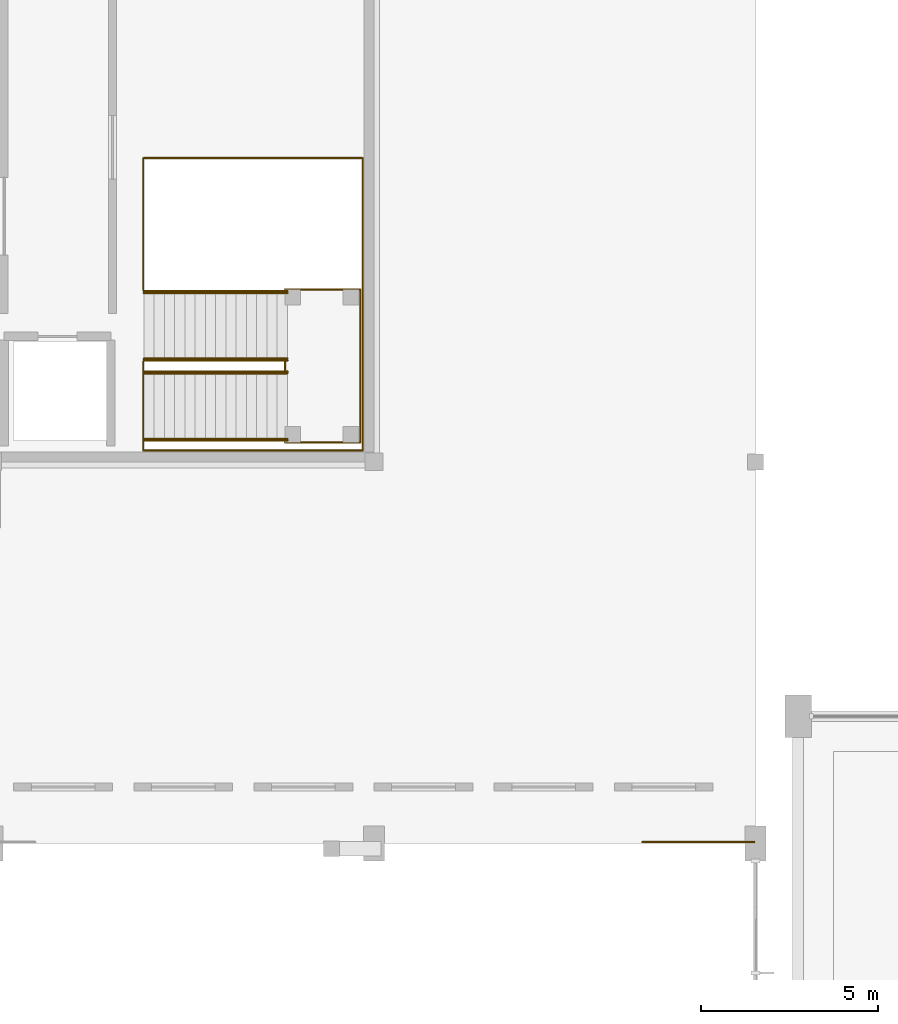
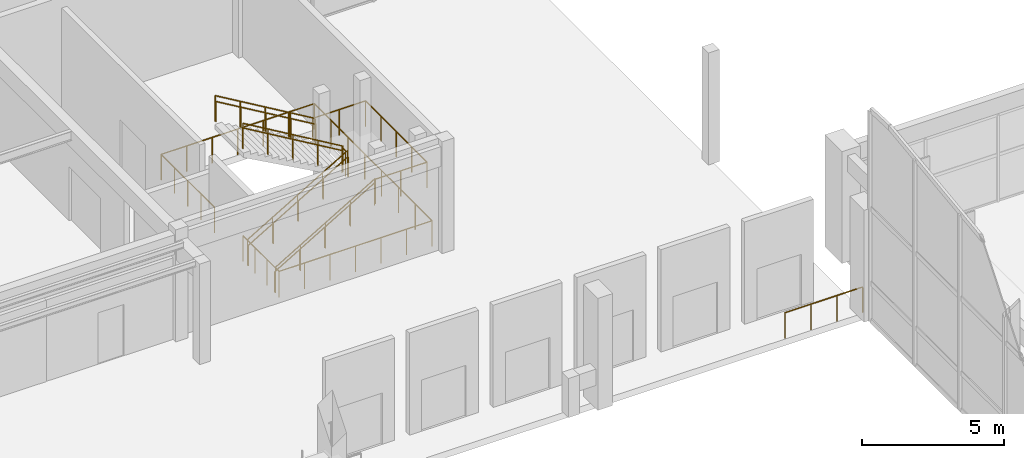
# One storey, part 73 of 74: 12 railings.
"""IFC4 building model written with IfcOpenShell, lengths in metres."""

from ifc_helpers import new_model, si_unit, direction, frame, origin, origin_2d, place, context, subcontext, project, spatial, circle, extrude, material, type_object, element, save


model = new_model("IFC4")

# Units and contexts
model_context = context("Model", 3, precision=1e-05, world=origin(), true_north=direction((0.0, 1.0)))
body_context = subcontext(model_context, "Body", "Model", "MODEL_VIEW")
ifc_project = project(units=[si_unit("LENGTHUNIT", "METRE"), si_unit("AREAUNIT", "SQUARE_METRE"), si_unit("VOLUMEUNIT", "CUBIC_METRE"), si_unit("PLANEANGLEUNIT", "RADIAN"), si_unit("MASSUNIT", "GRAM", prefix="KILO")], contexts=[model_context])

# Site, building, storey
site_placement = place(None, origin())
site = spatial("IfcSite", under=ifc_project, at=site_placement, CompositionType="ELEMENT")
building_placement = place(site_placement, origin())
building = spatial("IfcBuilding", under=site, at=building_placement, Name="Suirenkawa Promenade Aquatics Centre", CompositionType="ELEMENT")
storey_placement = place(building_placement, frame((0.0, 0.0, 4.800048828125)))
storey = spatial("IfcBuildingStorey", under=building, at=storey_placement, Name="L01", CompositionType="ELEMENT", Elevation=4.800048828125)

# Railings
ifc_material = material(Name="Marine-grade stainless steel Grade 316L", Category="steel")
railing_type_1 = type_object("IfcRailingType", Name="RLT-BALUSTRADE-1120", PredefinedType="BALUSTRADE", material=ifc_material)
railing_1_placement = place(storey_placement, frame((151.60009765625, 97.239990234375, 0.0)))
element("IfcRailing", 1, at=railing_1_placement, inside=storey, type_object=railing_type_1, Name="Balustrade BAL-01 RL-0399", PredefinedType="BALUSTRADE", context=body_context, shape_type="SweptSolid", body=[
    extrude(circle(Radius=0.02392578125, at=origin_2d()), frame((0.0, 0.0, 1.09619140625), z_axis=(1.0, 0.0, 0.0), x_axis=(0.0, 1.0, 0.0)), (0.0, 0.0, 1.0), 3.159912109375),
    extrude(circle(Radius=0.02099609375, at=origin_2d()), origin(), (0.0, 0.0, 1.0), 1.072021484375),
    extrude(circle(Radius=0.02099609375, at=origin_2d()), frame((1.05322265625, 0.0, 0.0)), (0.0, 0.0, 1.0), 1.072021484375),
    extrude(circle(Radius=0.02099609375, at=origin_2d()), frame((2.106689453125, 0.0, 0.0)), (0.0, 0.0, 1.0), 1.072021484375),
    extrude(circle(Radius=0.02099609375, at=origin_2d()), frame((3.159912109375, 0.0, 0.0)), (0.0, 0.0, 1.0), 1.072021484375),
])
railing_type_2 = type_object("IfcRailingType", Name="RLT-GUARD-1120", PredefinedType="GUARDRAIL", material=ifc_material)
for number, where, name in (
    (2, (137.485107421875, 108.60009765625, 0.0), "Guardrail GRD-01 RL-0141"),
    (3, (137.485107421875, 110.56005859375, 0.0), "Guardrail GRD-01 RL-0143"),
):
    element("IfcRailing", number, at=place(storey_placement, frame(where)), inside=storey, type_object=railing_type_2, Name=name, PredefinedType="GUARDRAIL", context=body_context, shape_type="SweptSolid", body=[
        extrude(circle(Radius=0.02392578125, at=origin_2d()), frame((0.0, 0.0, 1.09619140625), z_axis=(0.860840976868, 0.0, 0.508874063541), x_axis=(0.0, 1.0, 0.0)), (0.0, 0.0, 1.0), 4.716064453125),
        extrude(circle(Radius=0.02099609375, at=origin_2d()), origin(), (0.0, 0.0, 1.0), 1.072021484375),
        extrude(circle(Radius=0.02099609375, at=origin_2d()), frame((1.014892578125, 0.0, 0.60009765625)), (0.0, 0.0, 1.0), 1.072021484375),
        extrude(circle(Radius=0.02099609375, at=origin_2d()), frame((2.02978515625, 0.0, 1.199951171875)), (0.0, 0.0, 1.0), 1.072021484375),
        extrude(circle(Radius=0.02099609375, at=origin_2d()), frame((3.044921875, 0.0, 1.7998046875)), (0.0, 0.0, 1.0), 1.072021484375),
        extrude(circle(Radius=0.02099609375, at=origin_2d()), frame((4.059814453125, 0.0, 2.39990234375)), (0.0, 0.0, 1.0), 1.072021484375),
    ])
for number, where, name in (
    (4, (141.544921875, 112.830078125, 2.39990234375), "Guardrail GRD-01 RL-0145"),
    (5, (141.544921875, 110.8701171875, 2.39990234375), "Guardrail GRD-01 RL-0147"),
):
    element("IfcRailing", number, at=place(storey_placement, frame(where)), inside=storey, type_object=railing_type_2, Name=name, PredefinedType="GUARDRAIL", context=body_context, shape_type="SweptSolid", body=[
        extrude(circle(Radius=0.02392578125, at=origin_2d()), frame((0.0, 0.0, 1.09619140625), z_axis=(-0.860818299379, 0.0, 0.50891242415), x_axis=(0.0, -1.0, 0.0)), (0.0, 0.0, 1.0), 4.71630859375),
        extrude(circle(Radius=0.02099609375, at=origin_2d()), origin(), (0.0, 0.0, 1.0), 1.072021484375),
        extrude(circle(Radius=0.02099609375, at=origin_2d()), frame((-1.014892578125, 0.0, 0.60009765625)), (0.0, 0.0, 1.0), 1.072021484375),
        extrude(circle(Radius=0.02099609375, at=origin_2d()), frame((-2.02978515625, 0.0, 1.2001953125)), (0.0, 0.0, 1.0), 1.072021484375),
        extrude(circle(Radius=0.02099609375, at=origin_2d()), frame((-3.044921875, 0.0, 1.800048828125)), (0.0, 0.0, 1.0), 1.072021484375),
        extrude(circle(Radius=0.02099609375, at=origin_2d()), frame((-4.059814453125, 0.0, 2.400146484375)), (0.0, 0.0, 1.0), 1.072021484375),
    ])
railing_2_placement = place(storey_placement, frame((141.47998046875, 108.550048828125, 2.39990234375)))
element("IfcRailing", 6, at=railing_2_placement, inside=storey, type_object=railing_type_2, Name="Guardrail GRD-01 RL-0149", PredefinedType="GUARDRAIL", context=body_context, shape_type="SweptSolid", body=[
    extrude(circle(Radius=0.02392578125, at=origin_2d()), frame((0.0, 0.0, 1.09619140625), z_axis=(1.0, 0.0, 0.0), x_axis=(0.0, 1.0, 0.0)), (0.0, 0.0, 1.0), 2.130126953125),
    extrude(circle(Radius=0.02392578125, at=origin_2d()), frame((2.130126953125, 0.0, 1.09619140625), z_axis=(0.0, 1.0, 0.0), x_axis=(-1.0, 0.0, 0.0)), (0.0, 0.0, 1.0), 4.329833984375),
    extrude(circle(Radius=0.02392578125, at=origin_2d()), frame((2.130126953125, 4.329833984375, 1.09619140625), z_axis=(-1.0, 0.0, 0.0), x_axis=(0.0, -1.0, 0.0)), (0.0, 0.0, 1.0), 2.130126953125),
    extrude(circle(Radius=0.02099609375, at=origin_2d()), origin(), (0.0, 0.0, 1.0), 1.072021484375),
    extrude(circle(Radius=0.02099609375, at=origin_2d()), frame((1.06494140625, 0.0, 0.0)), (0.0, 0.0, 1.0), 1.072021484375),
    extrude(circle(Radius=0.02099609375, at=origin_2d()), frame((2.130126953125, 0.0, 0.0)), (0.0, 0.0, 1.0), 1.072021484375),
    extrude(circle(Radius=0.02099609375, at=origin_2d()), frame((2.130126953125, 1.08251953125, 0.0)), (0.0, 0.0, 1.0), 1.072021484375),
    extrude(circle(Radius=0.02099609375, at=origin_2d()), frame((2.130126953125, 2.1650390625, 0.0)), (0.0, 0.0, 1.0), 1.072021484375),
    extrude(circle(Radius=0.02099609375, at=origin_2d()), frame((2.130126953125, 3.247314453125, 0.0)), (0.0, 0.0, 1.0), 1.072021484375),
    extrude(circle(Radius=0.02099609375, at=origin_2d()), frame((2.130126953125, 4.329833984375, 0.0)), (0.0, 0.0, 1.0), 1.072021484375),
    extrude(circle(Radius=0.02099609375, at=origin_2d()), frame((1.06494140625, 4.329833984375, 0.0)), (0.0, 0.0, 1.0), 1.072021484375),
    extrude(circle(Radius=0.02099609375, at=origin_2d()), frame((0.0, 4.329833984375, 0.0)), (0.0, 0.0, 1.0), 1.072021484375),
])
railing_3_placement = place(storey_placement, frame((141.47998046875, 110.590087890625, 2.39990234375)))
element("IfcRailing", 7, at=railing_3_placement, inside=storey, type_object=railing_type_2, Name="Guardrail GRD-01 RL-0150", PredefinedType="GUARDRAIL", context=body_context, shape_type="SweptSolid", body=[
    extrude(circle(Radius=0.02392578125, at=origin_2d()), frame((0.0, 0.0, 1.09619140625), z_axis=(0.0, 1.0, 0.0), x_axis=(-1.0, 0.0, 0.0)), (0.0, 0.0, 1.0), 0.25),
    extrude(circle(Radius=0.02099609375, at=origin_2d()), origin(), (0.0, 0.0, 1.0), 1.072021484375),
    extrude(circle(Radius=0.02099609375, at=origin_2d()), frame((0.0, 0.25, 0.0)), (0.0, 0.0, 1.0), 1.072021484375),
])
railing_4_placement = place(storey_placement, frame((137.469970703125, 112.860107421875, 0.0)))
element("IfcRailing", 8, at=railing_4_placement, inside=storey, type_object=railing_type_2, Name="Guardrail GRD-01 RL-0415", PredefinedType="GUARDRAIL", context=body_context, shape_type="SweptSolid", body=[
    extrude(circle(Radius=0.02392578125, at=origin_2d()), frame((0.0, 0.0, 1.09619140625), z_axis=(0.0, 1.0, 0.0), x_axis=(-1.0, 0.0, 0.0)), (0.0, 0.0, 1.0), 3.739990234375),
    extrude(circle(Radius=0.02392578125, at=origin_2d()), frame((0.0, 3.739990234375, 1.09619140625), z_axis=(1.0, 0.0, 0.0), x_axis=(0.0, 1.0, 0.0)), (0.0, 0.0, 1.0), 6.2099609375),
    extrude(circle(Radius=0.02392578125, at=origin_2d()), frame((6.2099609375, 3.739990234375, 1.09619140625), z_axis=(0.0, -1.0, 0.0), x_axis=(1.0, 0.0, 0.0)), (0.0, 0.0, 1.0), 8.280029296875),
    extrude(circle(Radius=0.02392578125, at=origin_2d()), frame((6.2099609375, -4.5400390625, 1.09619140625), z_axis=(-1.0, 0.0, 0.0), x_axis=(0.0, -1.0, 0.0)), (0.0, 0.0, 1.0), 6.2099609375),
    extrude(circle(Radius=0.02392578125, at=origin_2d()), frame((0.0, -4.5400390625, 1.09619140625), z_axis=(0.0, 1.0, 0.0), x_axis=(-1.0, 0.0, 0.0)), (0.0, 0.0, 1.0), 2.52001953125),
    extrude(circle(Radius=0.02099609375, at=origin_2d()), origin(), (0.0, 0.0, 1.0), 1.072021484375),
    extrude(circle(Radius=0.02099609375, at=origin_2d()), frame((0.0, 0.93505859375, 0.0)), (0.0, 0.0, 1.0), 1.072021484375),
    extrude(circle(Radius=0.02099609375, at=origin_2d()), frame((0.0, 1.8701171875, 0.0)), (0.0, 0.0, 1.0), 1.072021484375),
    extrude(circle(Radius=0.02099609375, at=origin_2d()), frame((0.0, 2.804931640625, 0.0)), (0.0, 0.0, 1.0), 1.072021484375),
    extrude(circle(Radius=0.02099609375, at=origin_2d()), frame((0.0, 3.739990234375, 0.0)), (0.0, 0.0, 1.0), 1.072021484375),
    extrude(circle(Radius=0.02099609375, at=origin_2d()), frame((1.034912109375, 3.739990234375, 0.0)), (0.0, 0.0, 1.0), 1.072021484375),
    extrude(circle(Radius=0.02099609375, at=origin_2d()), frame((2.070068359375, 3.739990234375, 0.0)), (0.0, 0.0, 1.0), 1.072021484375),
    extrude(circle(Radius=0.02099609375, at=origin_2d()), frame((3.10498046875, 3.739990234375, 0.0)), (0.0, 0.0, 1.0), 1.072021484375),
    extrude(circle(Radius=0.02099609375, at=origin_2d()), frame((4.139892578125, 3.739990234375, 0.0)), (0.0, 0.0, 1.0), 1.072021484375),
    extrude(circle(Radius=0.02099609375, at=origin_2d()), frame((5.175048828125, 3.739990234375, 0.0)), (0.0, 0.0, 1.0), 1.072021484375),
    extrude(circle(Radius=0.02099609375, at=origin_2d()), frame((6.2099609375, 3.739990234375, 0.0)), (0.0, 0.0, 1.0), 1.072021484375),
    extrude(circle(Radius=0.02099609375, at=origin_2d()), frame((6.2099609375, 2.55712890625, 0.0)), (0.0, 0.0, 1.0), 1.072021484375),
    extrude(circle(Radius=0.02099609375, at=origin_2d()), frame((6.2099609375, 1.374267578125, 0.0)), (0.0, 0.0, 1.0), 1.072021484375),
    extrude(circle(Radius=0.02099609375, at=origin_2d()), frame((6.2099609375, 0.19140625, 0.0)), (0.0, 0.0, 1.0), 1.072021484375),
    extrude(circle(Radius=0.02099609375, at=origin_2d()), frame((6.2099609375, -0.991455078125, 0.0)), (0.0, 0.0, 1.0), 1.072021484375),
    extrude(circle(Radius=0.02099609375, at=origin_2d()), frame((6.2099609375, -2.17431640625, 0.0)), (0.0, 0.0, 1.0), 1.072021484375),
    extrude(circle(Radius=0.02099609375, at=origin_2d()), frame((6.2099609375, -3.357177734375, 0.0)), (0.0, 0.0, 1.0), 1.072021484375),
    extrude(circle(Radius=0.02099609375, at=origin_2d()), frame((6.2099609375, -4.5400390625, 0.0)), (0.0, 0.0, 1.0), 1.072021484375),
    extrude(circle(Radius=0.02099609375, at=origin_2d()), frame((5.175048828125, -4.5400390625, 0.0)), (0.0, 0.0, 1.0), 1.072021484375),
    extrude(circle(Radius=0.02099609375, at=origin_2d()), frame((4.139892578125, -4.5400390625, 0.0)), (0.0, 0.0, 1.0), 1.072021484375),
    extrude(circle(Radius=0.02099609375, at=origin_2d()), frame((3.10498046875, -4.5400390625, 0.0)), (0.0, 0.0, 1.0), 1.072021484375),
    extrude(circle(Radius=0.02099609375, at=origin_2d()), frame((2.070068359375, -4.5400390625, 0.0)), (0.0, 0.0, 1.0), 1.072021484375),
    extrude(circle(Radius=0.02099609375, at=origin_2d()), frame((1.034912109375, -4.5400390625, 0.0)), (0.0, 0.0, 1.0), 1.072021484375),
    extrude(circle(Radius=0.02099609375, at=origin_2d()), frame((0.0, -4.5400390625, 0.0)), (0.0, 0.0, 1.0), 1.072021484375),
    extrude(circle(Radius=0.02099609375, at=origin_2d()), frame((0.0, -3.699951171875, 0.0)), (0.0, 0.0, 1.0), 1.072021484375),
    extrude(circle(Radius=0.02099609375, at=origin_2d()), frame((0.0, -2.860107421875, 0.0)), (0.0, 0.0, 1.0), 1.072021484375),
    extrude(circle(Radius=0.02099609375, at=origin_2d()), frame((0.0, -2.02001953125, 0.0)), (0.0, 0.0, 1.0), 1.072021484375),
])
railing_type_3 = type_object("IfcRailingType", Name="RLT-HANDRAIL-900", PredefinedType="HANDRAIL", material=ifc_material)
for number, where, name in (
    (9, (137.485107421875, 108.64990234375, 0.0), "Handrail HRL-01 RL-0142"),
    (10, (137.485107421875, 110.510009765625, 0.0), "Handrail HRL-01 RL-0144"),
):
    element("IfcRailing", number, at=place(storey_placement, frame(where)), inside=storey, type_object=railing_type_3, Name=name, PredefinedType="HANDRAIL", context=body_context, shape_type="SweptSolid", body=[
        extrude(circle(Radius=0.02392578125, at=origin_2d()), frame((0.0, 0.0, 0.8759765625), z_axis=(0.860840976868, 0.0, 0.508874063541), x_axis=(0.0, 1.0, 0.0)), (0.0, 0.0, 1.0), 4.716064453125),
        extrude(circle(Radius=0.02099609375, at=origin_2d()), origin(), (0.0, 0.0, 1.0), 0.851806640625),
        extrude(circle(Radius=0.02099609375, at=origin_2d()), frame((1.014892578125, 0.0, 0.60009765625)), (0.0, 0.0, 1.0), 0.851806640625),
        extrude(circle(Radius=0.02099609375, at=origin_2d()), frame((2.02978515625, 0.0, 1.199951171875)), (0.0, 0.0, 1.0), 0.851806640625),
        extrude(circle(Radius=0.02099609375, at=origin_2d()), frame((3.044921875, 0.0, 1.7998046875)), (0.0, 0.0, 1.0), 0.851806640625),
        extrude(circle(Radius=0.02099609375, at=origin_2d()), frame((4.059814453125, 0.0, 2.39990234375)), (0.0, 0.0, 1.0), 0.851806640625),
    ])
for number, where, name in (
    (11, (141.544921875, 112.780029296875, 2.39990234375), "Handrail HRL-01 RL-0146"),
    (12, (141.544921875, 110.919921875, 2.39990234375), "Handrail HRL-01 RL-0148"),
):
    element("IfcRailing", number, at=place(storey_placement, frame(where)), inside=storey, type_object=railing_type_3, Name=name, PredefinedType="HANDRAIL", context=body_context, shape_type="SweptSolid", body=[
        extrude(circle(Radius=0.02392578125, at=origin_2d()), frame((0.0, 0.0, 0.8759765625), z_axis=(-0.860818299379, 0.0, 0.50891242415), x_axis=(0.0, -1.0, 0.0)), (0.0, 0.0, 1.0), 4.71630859375),
        extrude(circle(Radius=0.02099609375, at=origin_2d()), origin(), (0.0, 0.0, 1.0), 0.851806640625),
        extrude(circle(Radius=0.02099609375, at=origin_2d()), frame((-1.014892578125, 0.0, 0.60009765625)), (0.0, 0.0, 1.0), 0.851806640625),
        extrude(circle(Radius=0.02099609375, at=origin_2d()), frame((-2.02978515625, 0.0, 1.2001953125)), (0.0, 0.0, 1.0), 0.851806640625),
        extrude(circle(Radius=0.02099609375, at=origin_2d()), frame((-3.044921875, 0.0, 1.800048828125)), (0.0, 0.0, 1.0), 0.851806640625),
        extrude(circle(Radius=0.02099609375, at=origin_2d()), frame((-4.059814453125, 0.0, 2.400146484375)), (0.0, 0.0, 1.0), 0.851806640625),
    ])

save(model, "model.ifc")
